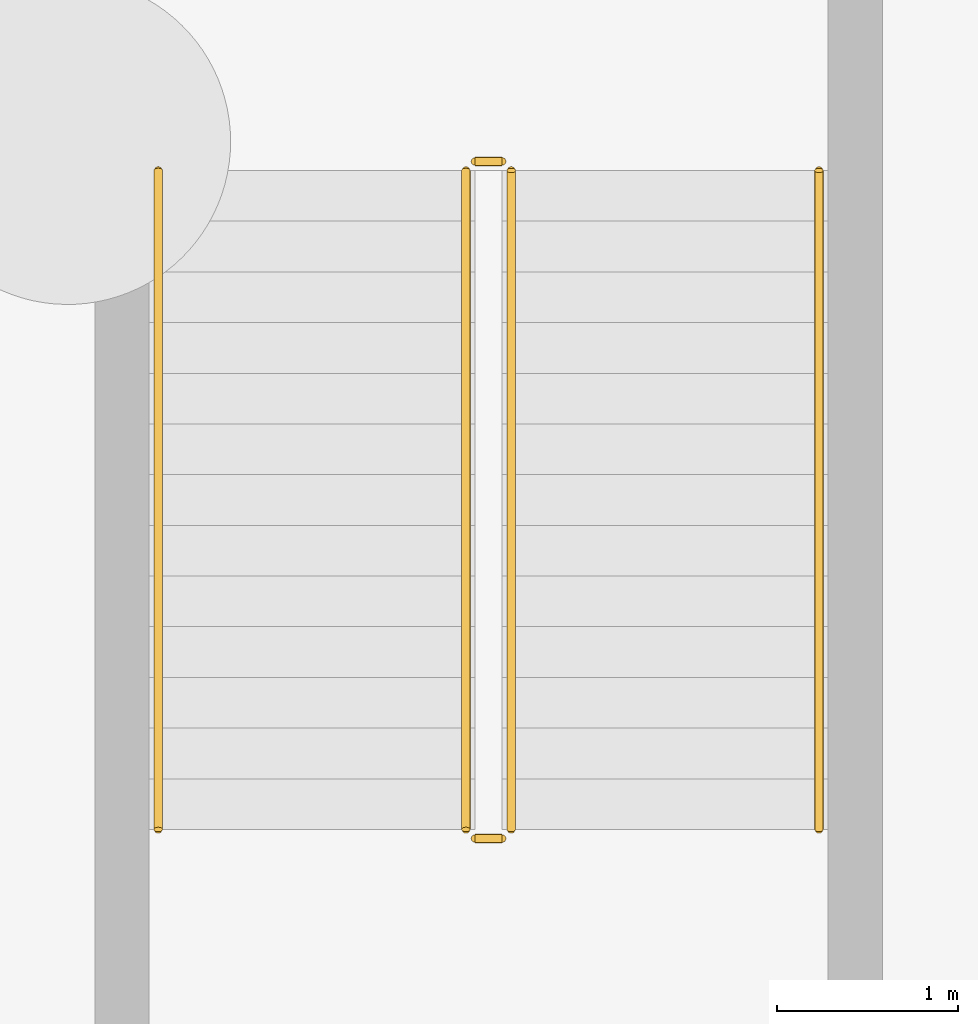
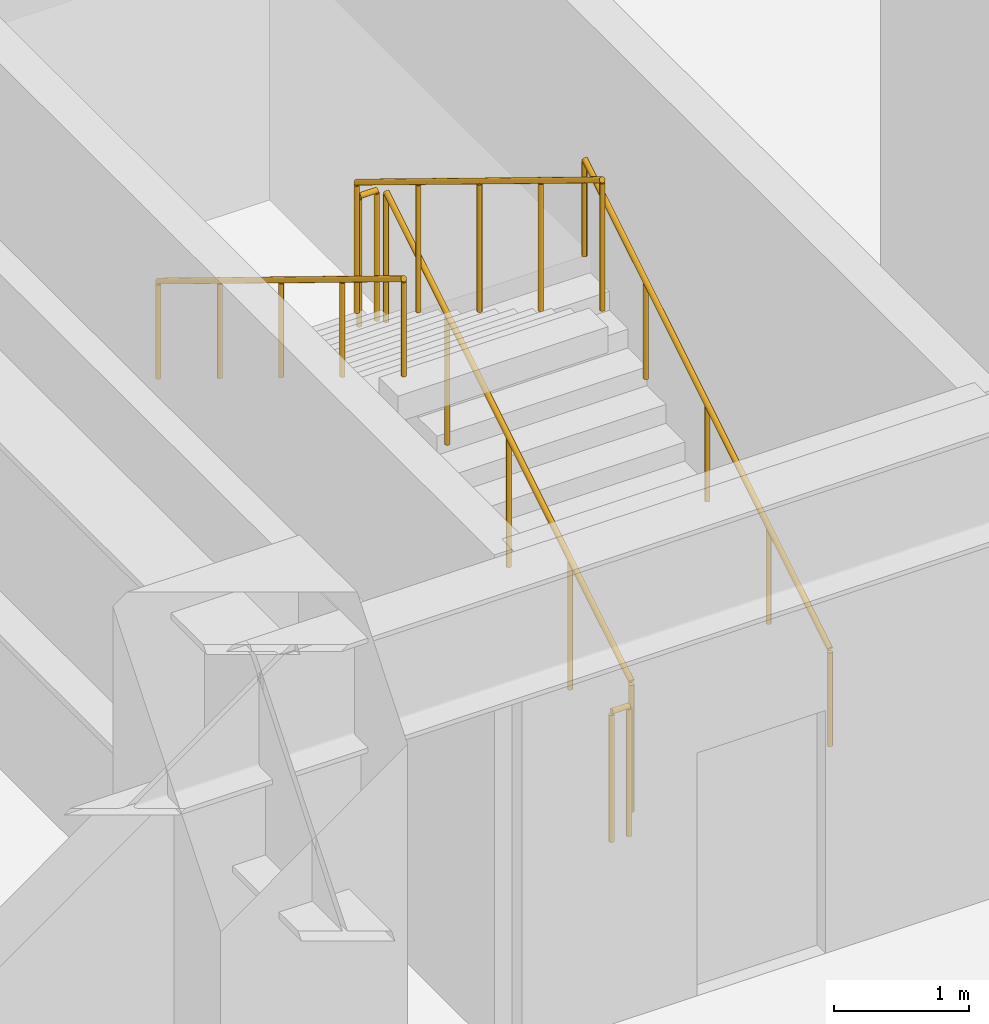
# One storey, part 9 of 13: 6 railings.
"""IFC4 building model written with IfcOpenShell, lengths in metres."""

import ifcopenshell
import ifcopenshell.guid

model = None  # the IFC model being written
_history = None  # IfcOwnerHistory: only IFC2X3 demands one
_inside = {}  # id of a spatial element -> (the spatial element, [elements in it])
_under = {}  # id of a project, library or spatial element -> (it, [spatial elements below it])
_declared = {}  # id of a project -> (the project, [libraries it declares])
_typed = {}  # id of a type object -> (the type object, [elements of that type])
_made_of = {}  # id of a material, layer set ... -> (it, [elements and type objects made of it])


def new_model(schema):
    """Start an empty IFC model of exactly this schema.

    Asked for "IFC4X3", IfcOpenShell would pick the latest addendum, in which some entities
    have other attributes; the version numbers below select the first issue.
    IFC2X3 requires an IfcOwnerHistory on every rooted entity: one is made here for all.
    """
    global model, _history
    if schema == "IFC4X3":
        model = ifcopenshell.file(schema_version=(4, 3, 0, 0))
    else:
        model = ifcopenshell.file(schema=schema)
    _inside.clear()
    _under.clear()
    _declared.clear()
    _typed.clear()
    _made_of.clear()
    _history = None
    if model.schema == "IFC2X3":
        org = make("IfcOrganization", Name="unknown")
        user = make(
            "IfcPersonAndOrganization",
            ThePerson=make("IfcPerson", FamilyName="unknown"),
            TheOrganization=org,
        )
        app = make(
            "IfcApplication",
            ApplicationDeveloper=org,
            Version="unknown",
            ApplicationFullName="unknown",
            ApplicationIdentifier="unknown",
        )
        _history = make(
            "IfcOwnerHistory",
            OwningUser=user,
            OwningApplication=app,
            ChangeAction="ADDED",
            CreationDate=0,
        )
    return model


def make(cls, **values):
    """One entity of the class cls with the attributes given. An attribute that is None is left unset."""
    return model.create_entity(
        cls, **{name: value for name, value in values.items() if value is not None}
    )


def rooted(cls, **values):
    """An entity with a GlobalId (a new one), such as an element, a storey or a relation."""
    return make(cls, GlobalId=ifcopenshell.guid.new(), OwnerHistory=_history, **values)


def si_unit(unit_type, name, prefix=None):
    """IfcSIUnit, for example si_unit("LENGTHUNIT", "METRE", prefix="MILLI")."""
    return make("IfcSIUnit", UnitType=unit_type, Prefix=prefix, Name=name)


def assignment(units):
    """IfcUnitAssignment: the units of a project."""
    return None if units is None else make("IfcUnitAssignment", Units=units)


def point(xyz):
    """IfcCartesianPoint."""
    return None if xyz is None else make("IfcCartesianPoint", Coordinates=xyz)


def direction(xyz):
    """IfcDirection."""
    return None if xyz is None else make("IfcDirection", DirectionRatios=xyz)


def frame(location, z_axis=None, x_axis=None):
    """IfcAxis2Placement3D, a coordinate frame: its origin and axes. An axis left out is left unset."""
    return make(
        "IfcAxis2Placement3D",
        Location=point(location),
        Axis=direction(z_axis),
        RefDirection=direction(x_axis),
    )


def frame_2d(location, x_axis=None):
    """IfcAxis2Placement2D, a coordinate frame in the plane: its origin and x axis."""
    return make(
        "IfcAxis2Placement2D", Location=point(location), RefDirection=direction(x_axis)
    )


def origin():
    """The frame at (0, 0, 0) with its axes left unset."""
    return frame((0.0, 0.0, 0.0))


def origin_2d():
    """The frame at (0, 0) in the plane with its x axis left unset."""
    return frame_2d((0.0, 0.0))


def place(relative_to, where):
    """IfcLocalPlacement: puts the frame where relative to a parent placement (None: the world)."""
    return make(
        "IfcLocalPlacement", PlacementRelTo=relative_to, RelativePlacement=where
    )


def context(
    kind, dimensions, precision=None, world=None, true_north=None, identifier=None
):
    """IfcGeometricRepresentationContext, for example the 3D "Model" context."""
    return make(
        "IfcGeometricRepresentationContext",
        ContextIdentifier=identifier,
        ContextType=kind,
        CoordinateSpaceDimension=dimensions,
        Precision=precision,
        WorldCoordinateSystem=world,
        TrueNorth=true_north,
    )


def subcontext(parent, identifier, kind, view, scale=None):
    """IfcGeometricRepresentationSubContext, for example "Body" below "Model"."""
    return make(
        "IfcGeometricRepresentationSubContext",
        ContextIdentifier=identifier,
        ContextType=kind,
        ParentContext=parent,
        TargetScale=scale,
        TargetView=view,
    )


def project(units=None, contexts=None):
    """IfcProject with its units and contexts."""
    return rooted(
        "IfcProject",
        Name="project",
        RepresentationContexts=contexts,
        UnitsInContext=assignment(units),
    )


def spatial(cls, under=None, at=None, **own):
    """A site, building, storey or space (cls), placed at a placement, below another one or the project."""
    s = rooted(cls, ObjectPlacement=at, **own)
    if under is not None:
        _under.setdefault(under.id(), (under, []))[1].append(s)
    return s


def profile(cls, at=None, kind="AREA", **sizes):
    """A parametric profile (cls). Its sizes go by their IFC names, for example OverallWidth=200.0."""
    return make(cls, ProfileType=kind, Position=at, **sizes)


def circle(**sizes):
    """IfcCircleProfileDef."""
    return profile("IfcCircleProfileDef", **sizes)


def extrude(swept, where, along, depth):
    """IfcExtrudedAreaSolid: the profile swept, set in the frame where, extruded along a direction by depth."""
    return make(
        "IfcExtrudedAreaSolid",
        SweptArea=swept,
        Position=where,
        ExtrudedDirection=direction(along),
        Depth=depth,
    )


def shape(context_of_items, identifier, shape_type, items):
    """IfcShapeRepresentation: the items that make up one representation, for example the "Body"."""
    return make(
        "IfcShapeRepresentation",
        ContextOfItems=context_of_items,
        RepresentationIdentifier=identifier,
        RepresentationType=shape_type,
        Items=items,
    )


def source(mapping_origin, context_of_items, identifier, shape_type, items):
    """IfcRepresentationMap: a shape defined once, which mapped items show again and again."""
    return make(
        "IfcRepresentationMap",
        MappingOrigin=mapping_origin,
        MappedRepresentation=shape(context_of_items, identifier, shape_type, items),
    )


def transform(
    local_origin,
    x_axis=None,
    y_axis=None,
    z_axis=None,
    scale=None,
    scale2=None,
    scale3=None,
    uniform=True,
):
    """IfcCartesianTransformationOperator3D, or its non-uniform kind. x_axis, y_axis, z_axis: its Axis1, 2, 3."""
    if uniform:
        return make(
            "IfcCartesianTransformationOperator3D",
            Axis1=direction(x_axis),
            Axis2=direction(y_axis),
            LocalOrigin=point(local_origin),
            Scale=scale,
            Axis3=direction(z_axis),
        )
    return make(
        "IfcCartesianTransformationOperator3DnonUniform",
        Axis1=direction(x_axis),
        Axis2=direction(y_axis),
        LocalOrigin=point(local_origin),
        Scale=scale,
        Axis3=direction(z_axis),
        Scale2=scale2,
        Scale3=scale3,
    )


def mapped(mapping_source, mapping_target):
    """IfcMappedItem: shows the shape of a source again, moved by a transform."""
    return make(
        "IfcMappedItem", MappingSource=mapping_source, MappingTarget=mapping_target
    )


def material(Name=None, Category=None):
    """IfcMaterial."""
    return make("IfcMaterial", Name=Name, Category=Category)


def made_of(thing, what):
    """Note that an element or type object is made of a material, layer set ...; save() writes the relation."""
    if what is not None:
        _made_of.setdefault(what.id(), (what, []))[1].append(thing)
    return thing


def type_object(cls, material=None, **own):
    """A type object (cls), such as IfcWallType, which elements share."""
    return made_of(rooted(cls, **own), material)


def element(
    cls,
    number,
    at=None,
    inside=None,
    cuts=None,
    type_object=None,
    material=None,
    context=None,
    identifier="Body",
    shape_type=None,
    held_by="IfcProductDefinitionShape",
    body=None,
    shapes=None,
    **own,
):
    """One element of the class cls, such as IfcWall. Its Tag is "e" and its number.

    at: its placement. inside: the storey or other place that contains it. cuts: it is an
    opening in that element (IfcRelVoidsElement). A single representation is given by context,
    identifier, shape_type and body (its items); several are given by shapes. held_by: the class
    of the entity that holds the representations. save() writes the other relations.
    """
    e = rooted(cls, Tag="e%d" % number, ObjectPlacement=at, **own)
    if body is not None:
        shapes = [shape(context, identifier, shape_type, body)]
    if shapes is not None:
        e.Representation = make(held_by, Representations=shapes)
    if inside is not None:
        _inside.setdefault(inside.id(), (inside, []))[1].append(e)
    if cuts is not None:
        rooted(
            "IfcRelVoidsElement", RelatingBuildingElement=cuts, RelatedOpeningElement=e
        )
    if type_object is not None:
        _typed.setdefault(type_object.id(), (type_object, []))[1].append(e)
    return made_of(e, material)


def aggregate(whole, parts):
    """IfcRelAggregates: a whole, such as a stair, and the parts it consists of."""
    return rooted("IfcRelAggregates", RelatingObject=whole, RelatedObjects=parts)


def save(model, path):
    """Write the relations noted so far, then the file.

    IfcRelAggregates (storeys below a building ...), IfcRelContainedInSpatialStructure (elements
    in a storey), IfcRelDefinesByType, IfcRelAssociatesMaterial and IfcRelDeclares: one each for
    every whole, place, type object, material and project.
    """
    for whole, parts in _under.values():
        aggregate(whole, parts)
    for where, things in _inside.values():
        rooted(
            "IfcRelContainedInSpatialStructure",
            RelatedElements=things,
            RelatingStructure=where,
        )
    for kind, things in _typed.values():
        rooted("IfcRelDefinesByType", RelatedObjects=things, RelatingType=kind)
    for what, things in _made_of.values():
        rooted("IfcRelAssociatesMaterial", RelatedObjects=things, RelatingMaterial=what)
    for by, libraries in _declared.values():
        rooted("IfcRelDeclares", RelatingContext=by, RelatedDefinitions=libraries)
    model.write(path)


model = new_model("IFC4")

# Units and contexts
model_context = context("Model", 3, precision=1e-05, world=origin(), true_north=direction((0.0, 1.0)))
body_context = subcontext(model_context, "Body", "Model", "MODEL_VIEW")
ifc_project = project(units=[si_unit("LENGTHUNIT", "METRE"), si_unit("AREAUNIT", "SQUARE_METRE"), si_unit("VOLUMEUNIT", "CUBIC_METRE"), si_unit("PLANEANGLEUNIT", "RADIAN"), si_unit("MASSUNIT", "GRAM", prefix="KILO")], contexts=[model_context])

# Site, building, storey
site_placement = place(None, origin())
site = spatial("IfcSite", under=ifc_project, at=site_placement, CompositionType="ELEMENT")
building_placement = place(site_placement, origin())
building = spatial("IfcBuilding", under=site, at=building_placement, Name="Khorayat Bourse Tower", CompositionType="ELEMENT")
storey_placement = place(building_placement, frame((0.0, 0.0, -9.60009765625)))
storey = spatial("IfcBuildingStorey", under=building, at=storey_placement, Name="B02", CompositionType="ELEMENT", Elevation=-9.60009765625)

# Railings
ifc_material_1 = material(Name="Powder-coated steel balustrade", Category="steel")
railing_type_1 = type_object("IfcRailingType", Name="RLG-GUARD-1200", PredefinedType="GUARDRAIL", material=ifc_material_1)
shared_shape_1 = source(origin(), body_context, "Body", "SweptSolid", [
    extrude(circle(Radius=0.02392578125, at=origin_2d()), frame((0.0, 0.0, 1.17578125), z_axis=(0.0, 0.852865859571, 0.52213008492), x_axis=(-1.0, 0.0, 0.0)), (0.0, 0.0, 1.0), 4.26806640625),
    extrude(circle(Radius=0.02099609375, at=origin_2d()), origin(), (0.0, 0.0, 1.0), 1.15185546875),
    extrude(circle(Radius=0.02099609375, at=origin_2d()), frame((0.0, 0.91015625, 0.55712890625)), (0.0, 0.0, 1.0), 1.15185546875),
    extrude(circle(Radius=0.02099609375, at=origin_2d()), frame((0.0, 1.820068359375, 1.1142578125)), (0.0, 0.0, 1.0), 1.15185546875),
    extrude(circle(Radius=0.02099609375, at=origin_2d()), frame((0.0, 2.72998046875, 1.67138671875)), (0.0, 0.0, 1.0), 1.15185546875),
    extrude(circle(Radius=0.02099609375, at=origin_2d()), frame((0.0, 3.64013671875, 2.228515625)), (0.0, 0.0, 1.0), 1.15185546875),
])
railing_1_placement = place(storey_placement, frame((-27.550048828125, -21.800048828125, 0.171630859375)))
element("IfcRailing", 1, at=railing_1_placement, inside=storey, type_object=railing_type_1, Name="B02 ST-P1 stair guard 1", PredefinedType="GUARDRAIL", context=body_context, shape_type="MappedRepresentation", body=[
    mapped(shared_shape_1, transform((0.0, 0.0, 0.0), scale=1.0)),
])
shared_shape_2 = source(origin(), body_context, "Body", "SweptSolid", [
    extrude(circle(Radius=0.02392578125, at=origin_2d()), frame((0.0, 0.0, 1.17578125), z_axis=(-1.0, 0.0, 0.0), x_axis=(0.0, -1.0, 0.0)), (0.0, 0.0, 1.0), 0.14990234375),
    extrude(circle(Radius=0.02099609375, at=origin_2d()), origin(), (0.0, 0.0, 1.0), 1.15185546875),
    extrude(circle(Radius=0.02099609375, at=origin_2d()), frame((-0.14990234375, 0.0, 0.0)), (0.0, 0.0, 1.0), 1.15185546875),
])
for number, where, name in (
    (2, (-27.60009765625, -18.110107421875, 2.400146484375), "B02 ST-P1 stair guard 2"),
    (3, (-27.60009765625, -21.85009765625, 0.0), "B02 ST-P1 stair guard 4"),
):
    element("IfcRailing", number, at=place(storey_placement, frame(where)), inside=storey, type_object=railing_type_1, Name=name, PredefinedType="GUARDRAIL", context=body_context, shape_type="MappedRepresentation", body=[
        mapped(shared_shape_2, transform((0.0, 0.0, 0.0), scale=1.0)),
    ])
shared_shape_3 = source(origin(), body_context, "Body", "SweptSolid", [
    extrude(circle(Radius=0.02392578125, at=origin_2d()), frame((0.0, 0.0, 1.17578125), z_axis=(0.0, -0.852865859571, 0.52213008492), x_axis=(1.0, 0.0, 0.0)), (0.0, 0.0, 1.0), 4.26806640625),
    extrude(circle(Radius=0.02099609375, at=origin_2d()), origin(), (0.0, 0.0, 1.0), 1.15185546875),
    extrude(circle(Radius=0.02099609375, at=origin_2d()), frame((0.0, -0.91015625, 0.55712890625)), (0.0, 0.0, 1.0), 1.15185546875),
    extrude(circle(Radius=0.02099609375, at=origin_2d()), frame((0.0, -1.820068359375, 1.1142578125)), (0.0, 0.0, 1.0), 1.15185546875),
    extrude(circle(Radius=0.02099609375, at=origin_2d()), frame((0.0, -2.72998046875, 1.67138671875)), (0.0, 0.0, 1.0), 1.15185546875),
    extrude(circle(Radius=0.02099609375, at=origin_2d()), frame((0.0, -3.64013671875, 2.228515625)), (0.0, 0.0, 1.0), 1.15185546875),
])
railing_2_placement = place(storey_placement, frame((-27.800048828125, -18.159912109375, 2.571533203125)))
element("IfcRailing", 4, at=railing_2_placement, inside=storey, type_object=railing_type_1, Name="B02 ST-P1 stair guard 3", PredefinedType="GUARDRAIL", context=body_context, shape_type="MappedRepresentation", body=[
    mapped(shared_shape_3, transform((0.0, 0.0, 0.0), scale=1.0)),
])
ifc_material_2 = material(Name="Brushed bronze stainless-steel handrail", Category="steel")
railing_type_2 = type_object("IfcRailingType", Name="RLG-HAND-900", PredefinedType="HANDRAIL", material=ifc_material_2)
shared_shape_4 = source(origin(), body_context, "Body", "SweptSolid", [
    extrude(circle(Radius=0.02392578125, at=origin_2d()), frame((0.0, 0.0, 0.8759765625), z_axis=(0.0, 0.852865859571, 0.52213008492), x_axis=(-1.0, 0.0, 0.0)), (0.0, 0.0, 1.0), 4.26806640625),
    extrude(circle(Radius=0.02099609375, at=origin_2d()), origin(), (0.0, 0.0, 1.0), 0.851806640625),
    extrude(circle(Radius=0.02099609375, at=origin_2d()), frame((0.0, 0.91015625, 0.55712890625)), (0.0, 0.0, 1.0), 0.851806640625),
    extrude(circle(Radius=0.02099609375, at=origin_2d()), frame((0.0, 1.820068359375, 1.1142578125)), (0.0, 0.0, 1.0), 0.851806640625),
    extrude(circle(Radius=0.02099609375, at=origin_2d()), frame((0.0, 2.72998046875, 1.67138671875)), (0.0, 0.0, 1.0), 0.851806640625),
    extrude(circle(Radius=0.02099609375, at=origin_2d()), frame((0.0, 3.64013671875, 2.228515625)), (0.0, 0.0, 1.0), 0.851806640625),
])
railing_3_placement = place(storey_placement, frame((-25.85009765625, -21.800048828125, 0.171630859375)))
element("IfcRailing", 5, at=railing_3_placement, inside=storey, type_object=railing_type_2, Name="B02 ST-P1 stair handrail 1", PredefinedType="HANDRAIL", context=body_context, shape_type="MappedRepresentation", body=[
    mapped(shared_shape_4, transform((0.0, 0.0, 0.0), scale=1.0)),
])
shared_shape_5 = source(origin(), body_context, "Body", "SweptSolid", [
    extrude(circle(Radius=0.02392578125, at=origin_2d()), frame((0.0, 0.0, 0.8759765625), z_axis=(0.0, -0.852865859571, 0.52213008492), x_axis=(1.0, 0.0, 0.0)), (0.0, 0.0, 1.0), 4.26806640625),
    extrude(circle(Radius=0.02099609375, at=origin_2d()), origin(), (0.0, 0.0, 1.0), 0.851806640625),
    extrude(circle(Radius=0.02099609375, at=origin_2d()), frame((0.0, -0.91015625, 0.55712890625)), (0.0, 0.0, 1.0), 0.851806640625),
    extrude(circle(Radius=0.02099609375, at=origin_2d()), frame((0.0, -1.820068359375, 1.1142578125)), (0.0, 0.0, 1.0), 0.851806640625),
    extrude(circle(Radius=0.02099609375, at=origin_2d()), frame((0.0, -2.72998046875, 1.67138671875)), (0.0, 0.0, 1.0), 0.851806640625),
    extrude(circle(Radius=0.02099609375, at=origin_2d()), frame((0.0, -3.64013671875, 2.228515625)), (0.0, 0.0, 1.0), 0.851806640625),
])
railing_4_placement = place(storey_placement, frame((-29.5, -18.159912109375, 2.571533203125)))
element("IfcRailing", 6, at=railing_4_placement, inside=storey, type_object=railing_type_2, Name="B02 ST-P1 stair handrail 2", PredefinedType="HANDRAIL", context=body_context, shape_type="MappedRepresentation", body=[
    mapped(shared_shape_5, transform((0.0, 0.0, 0.0), scale=1.0)),
])

save(model, "model.ifc")
